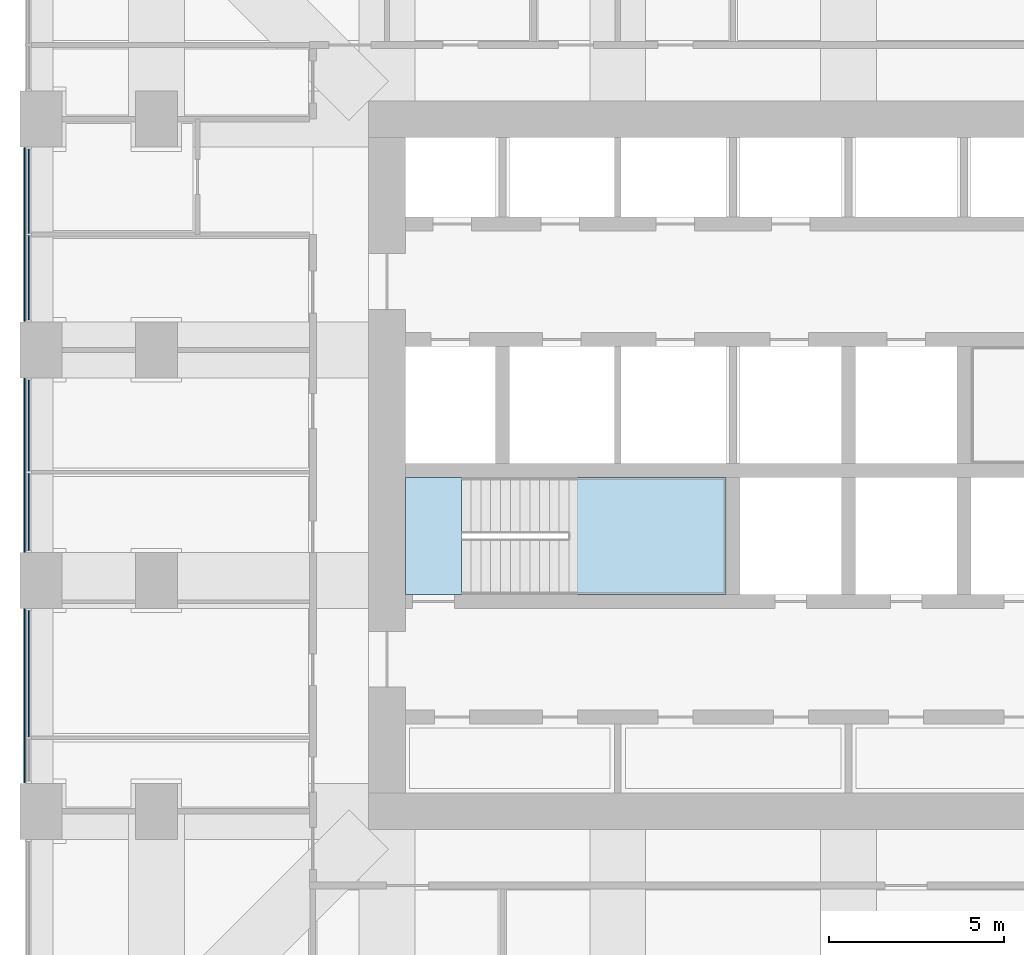
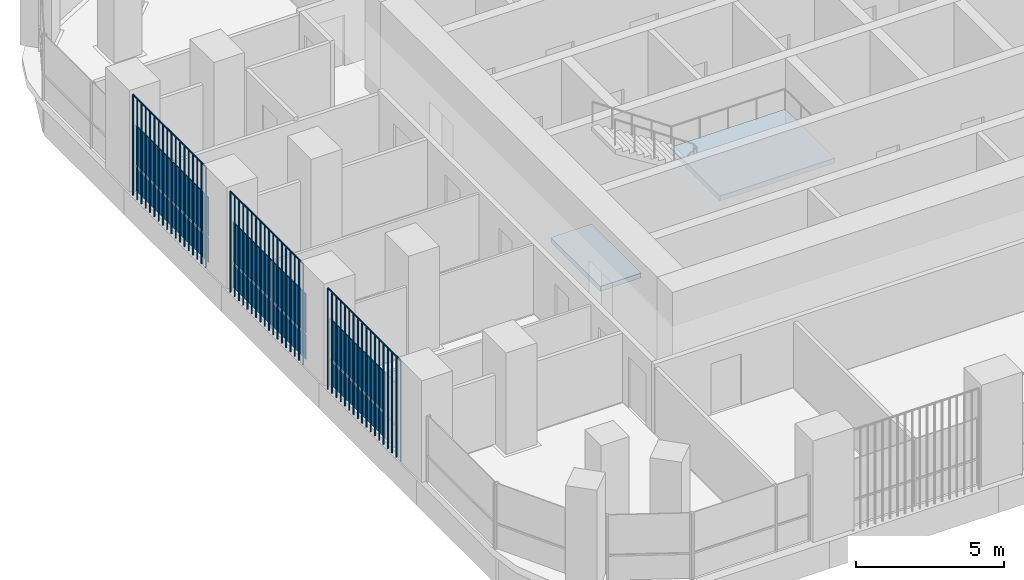
# One storey, part 9 of 19: 13 plates, 2 slabs, 4 elements without a shape of their own.
"""IFC4 building model written with IfcOpenShell, lengths in metres."""

from ifc_helpers import new_model, si_unit, direction, frame, origin, origin_2d, place, context, subcontext, project, spatial, polyline, rectangle, outline, extrude, material, layer, layer_set, type_object, element, aggregate, save


model = new_model("IFC4")

# Units and contexts
model_context = context("Model", 3, precision=1e-05, world=origin(), true_north=direction((0.0, 1.0)))
body_context = subcontext(model_context, "Body", "Model", "MODEL_VIEW")
ifc_project = project(units=[si_unit("LENGTHUNIT", "METRE"), si_unit("AREAUNIT", "SQUARE_METRE"), si_unit("VOLUMEUNIT", "CUBIC_METRE"), si_unit("PLANEANGLEUNIT", "RADIAN"), si_unit("MASSUNIT", "GRAM", prefix="KILO")], contexts=[model_context])

# Site, building, storey
site_placement = place(None, origin())
site = spatial("IfcSite", under=ifc_project, at=site_placement, CompositionType="ELEMENT")
building_placement = place(site_placement, origin())
building = spatial("IfcBuilding", under=site, at=building_placement, Name="Cobogo Forest Laboratory Tower", CompositionType="ELEMENT")
storey_placement = place(building_placement, frame((0.0, 0.0, 206.10009765625)))
storey = spatial("IfcBuildingStorey", under=building, at=storey_placement, Name="L47", CompositionType="ELEMENT", Elevation=206.10009765625)

# Curtain wall, plates
ifc_material_1 = material(Name="Aluminium curtain wall", Category="aluminium")
curtain_wall_type = type_object("IfcCurtainWallType", Name="CW-2 unitised curtain wall, solar control glazing, laboratory floors zones C and D", PredefinedType="USERDEFINED", material=ifc_material_1)
curtain_wall_1_placement = place(storey_placement, origin())
curtain_wall_1 = element("IfcCurtainWall", 1, at=curtain_wall_1_placement, inside=storey, type_object=curtain_wall_type, Name="Curtain wall 25 L47", ObjectType="UNITISED CURTAIN WALL", PredefinedType="USERDEFINED")
ifc_material_2 = material(Name="Solar control insulated glass", Category="glass")
ifc_layer_1 = layer(ifc_material_2, 0.031982421875)
ifc_layer_set_1 = layer_set([ifc_layer_1], Name="GP-2 solar control glass unit 32")
plate_type_1 = type_object("IfcPlateType", Name="GP-2 solar control glass unit 32", PredefinedType="CURTAIN_PANEL", material=ifc_layer_set_1)
plate_1_placement = place(storey_placement, frame((2.949951171875, 30.93505859375, 0.0), z_axis=(0.0, 0.0, 1.0), x_axis=(0.0, -1.0, 0.0)))
plate_1 = element("IfcPlate", 2, at=plate_1_placement, type_object=plate_type_1, Name="CW-2 panel 1.1", PredefinedType="CURTAIN_PANEL", context=body_context, shape_type="SweptSolid", body=[
    extrude(rectangle(XDim=2.409912109375, YDim=0.031982421875, at=origin_2d()), origin(), (0.0, 0.0, 1.0), 1.02001953125),
])
plate_2_placement = place(storey_placement, frame((2.949951171875, 30.93505859375, 1.079833984375), z_axis=(0.0, 0.0, 1.0), x_axis=(0.0, -1.0, 0.0)))
plate_2 = element("IfcPlate", 3, at=plate_2_placement, type_object=plate_type_1, Name="CW-2 panel 1.2", PredefinedType="CURTAIN_PANEL", context=body_context, shape_type="SweptSolid", body=[
    extrude(rectangle(XDim=2.409912109375, YDim=0.031982421875, at=origin_2d()), origin(), (0.0, 0.0, 1.0), 1.6201171875),
])
plate_3_placement = place(storey_placement, frame((2.949951171875, 28.465087890625, 0.0), z_axis=(0.0, 0.0, 1.0), x_axis=(0.0, -1.0, 0.0)))
plate_3 = element("IfcPlate", 4, at=plate_3_placement, type_object=plate_type_1, Name="CW-2 panel 2.1", PredefinedType="CURTAIN_PANEL", context=body_context, shape_type="SweptSolid", body=[
    extrude(rectangle(XDim=2.409912109375, YDim=0.031982421875, at=origin_2d()), origin(), (0.0, 0.0, 1.0), 1.02001953125),
])
plate_4_placement = place(storey_placement, frame((2.949951171875, 28.465087890625, 1.079833984375), z_axis=(0.0, 0.0, 1.0), x_axis=(0.0, -1.0, 0.0)))
plate_4 = element("IfcPlate", 5, at=plate_4_placement, type_object=plate_type_1, Name="CW-2 panel 2.2", PredefinedType="CURTAIN_PANEL", context=body_context, shape_type="SweptSolid", body=[
    extrude(rectangle(XDim=2.409912109375, YDim=0.031982421875, at=origin_2d()), origin(), (0.0, 0.0, 1.0), 1.6201171875),
])
aggregate(curtain_wall_1, [plate_1, plate_2, plate_3, plate_4])

curtain_wall_2_placement = place(storey_placement, origin())
curtain_wall_2 = element("IfcCurtainWall", 6, at=curtain_wall_2_placement, inside=storey, type_object=curtain_wall_type, Name="Curtain wall 26 L47", ObjectType="UNITISED CURTAIN WALL", PredefinedType="USERDEFINED")
plate_5_placement = place(storey_placement, frame((2.949951171875, 24.235107421875, 0.0), z_axis=(0.0, 0.0, 1.0), x_axis=(0.0, -1.0, 0.0)))
plate_5 = element("IfcPlate", 7, at=plate_5_placement, type_object=plate_type_1, Name="CW-2 panel 1.1", PredefinedType="CURTAIN_PANEL", context=body_context, shape_type="SweptSolid", body=[
    extrude(rectangle(XDim=2.610107421875, YDim=0.031982421875, at=origin_2d()), origin(), (0.0, 0.0, 1.0), 1.02001953125),
])
plate_6_placement = place(storey_placement, frame((2.949951171875, 24.235107421875, 1.079833984375), z_axis=(0.0, 0.0, 1.0), x_axis=(0.0, -1.0, 0.0)))
plate_6 = element("IfcPlate", 8, at=plate_6_placement, type_object=plate_type_1, Name="CW-2 panel 1.2", PredefinedType="CURTAIN_PANEL", context=body_context, shape_type="SweptSolid", body=[
    extrude(rectangle(XDim=2.610107421875, YDim=0.031982421875, at=origin_2d()), origin(), (0.0, 0.0, 1.0), 1.6201171875),
])
plate_7_placement = place(storey_placement, frame((2.949951171875, 21.764892578125, 0.0), z_axis=(0.0, 0.0, 1.0), x_axis=(0.0, -1.0, 0.0)))
plate_7 = element("IfcPlate", 9, at=plate_7_placement, type_object=plate_type_1, Name="CW-2 panel 2.1", PredefinedType="CURTAIN_PANEL", context=body_context, shape_type="SweptSolid", body=[
    extrude(rectangle(XDim=2.2099609375, YDim=0.031982421875, at=origin_2d()), origin(), (0.0, 0.0, 1.0), 1.02001953125),
])
plate_8_placement = place(storey_placement, frame((2.949951171875, 21.764892578125, 1.079833984375), z_axis=(0.0, 0.0, 1.0), x_axis=(0.0, -1.0, 0.0)))
plate_8 = element("IfcPlate", 10, at=plate_8_placement, type_object=plate_type_1, Name="CW-2 panel 2.2", PredefinedType="CURTAIN_PANEL", context=body_context, shape_type="SweptSolid", body=[
    extrude(rectangle(XDim=2.2099609375, YDim=0.031982421875, at=origin_2d()), origin(), (0.0, 0.0, 1.0), 1.6201171875),
])
aggregate(curtain_wall_2, [plate_5, plate_6, plate_7, plate_8])

curtain_wall_3_placement = place(storey_placement, origin())
curtain_wall_3 = element("IfcCurtainWall", 11, at=curtain_wall_3_placement, inside=storey, type_object=curtain_wall_type, Name="Curtain wall 27 L47", ObjectType="UNITISED CURTAIN WALL", PredefinedType="USERDEFINED")
plate_9_placement = place(storey_placement, frame((2.949951171875, 17.135009765625, 0.0), z_axis=(0.0, 0.0, 1.0), x_axis=(0.0, -1.0, 0.0)))
plate_9 = element("IfcPlate", 12, at=plate_9_placement, type_object=plate_type_1, Name="CW-2 panel 1.1", PredefinedType="CURTAIN_PANEL", context=body_context, shape_type="SweptSolid", body=[
    extrude(rectangle(XDim=3.610107421875, YDim=0.031982421875, at=origin_2d()), origin(), (0.0, 0.0, 1.0), 1.02001953125),
])
plate_10_placement = place(storey_placement, frame((2.949951171875, 17.135009765625, 1.079833984375), z_axis=(0.0, 0.0, 1.0), x_axis=(0.0, -1.0, 0.0)))
plate_10 = element("IfcPlate", 13, at=plate_10_placement, type_object=plate_type_1, Name="CW-2 panel 1.2", PredefinedType="CURTAIN_PANEL", context=body_context, shape_type="SweptSolid", body=[
    extrude(rectangle(XDim=3.610107421875, YDim=0.031982421875, at=origin_2d()), origin(), (0.0, 0.0, 1.0), 1.6201171875),
])
aggregate(curtain_wall_3, [plate_9, plate_10])

# Stair, slabs
ifc_material_3 = material(Name="Precast concrete HA-40 (C40/50)", Category="concrete")
stair_type = type_object("IfcStairType", Name="ST24 exit stair 24 risers", PredefinedType="HALF_TURN_STAIR", material=ifc_material_3)
stair_placement = place(storey_placement, origin())
stair = element("IfcStair", 14, at=stair_placement, inside=storey, type_object=stair_type, Name="Stair 1 L47 to L48", PredefinedType="HALF_TURN_STAIR")
ifc_material_4 = material(Name="Concrete HA-40 (C40/50)", Category="concrete")
ifc_layer_2 = layer(ifc_material_4, 0.199951171875)
ifc_layer_set_2 = layer_set([ifc_layer_2], Name="SL stair landing 200")
slab_type = type_object("IfcSlabType", Name="SL stair landing 200", PredefinedType="LANDING", material=ifc_layer_set_2)
slab_1_placement = place(storey_placement, frame((0.0, 0.0, -0.2001953125)))
slab_1 = element("IfcSlab", 15, at=slab_1_placement, type_object=slab_type, Name="ST1 landing 1", PredefinedType="LANDING", context=body_context, shape_type="SweptSolid", body=[
    extrude(outline(polyline([(13.72509765625, 19.39990234375), (15.326904296875, 19.39990234375), (15.326904296875, 22.75), (13.72509765625, 22.75), (13.72509765625, 19.39990234375)])), origin(), (0.0, 0.0, 1.0), 0.2001953125),
])
slab_2_placement = place(storey_placement, frame((0.0, 0.0, 1.89990234375)))
slab_2 = element("IfcSlab", 16, at=slab_2_placement, type_object=slab_type, Name="ST1 landing 2", PredefinedType="LANDING", context=body_context, shape_type="SweptSolid", body=[
    extrude(outline(polyline([(18.403076171875, 19.39990234375), (22.89990234375, 19.39990234375), (22.89990234375, 22.75), (18.403076171875, 22.75), (18.403076171875, 19.39990234375)])), origin(), (0.0, 0.0, 1.0), 0.199951171875),
])
aggregate(stair, [slab_1, slab_2])

# Plates
ifc_material_5 = material(Name="Terracotta", Category="masonry")
plate_type_2 = type_object("IfcPlateType", Name="TB1 terracotta baguette screen", PredefinedType="USERDEFINED", material=ifc_material_5)
plate_11_placement = place(storey_placement, frame((2.822021484375, 14.03125, -0.150146484375)))
element("IfcPlate", 17, at=plate_11_placement, inside=storey, type_object=plate_type_2, Name="Baguette screen W1 L47", ObjectType="BAGUETTE SCREEN", PredefinedType="USERDEFINED", context=body_context, shape_type="SweptSolid", body=[
    extrude(outline(polyline([(0.02880859375, 0.011962890625), (0.011962890625, 0.02880859375), (-0.011962890625, 0.02880859375), (-0.02880859375, 0.011962890625), (-0.02880859375, -0.011962890625), (-0.011962890625, -0.02880859375), (0.011962890625, -0.02880859375), (0.02880859375, -0.011962890625), (0.02880859375, 0.011962890625)])), frame((0.0, 0.0, 4.168701171875), z_axis=(0.0, 1.0, 0.0), x_axis=(-1.0, 0.0, 0.0)), (0.0, 0.0, 1.0), 4.9375),
    extrude(outline(polyline([(0.02880859375, 0.011962890625), (0.011962890625, 0.02880859375), (-0.011962890625, 0.02880859375), (-0.02880859375, 0.011962890625), (-0.02880859375, -0.011962890625), (-0.011962890625, -0.02880859375), (0.011962890625, -0.02880859375), (0.02880859375, -0.011962890625), (0.02880859375, 0.011962890625)])), origin(), (0.0, 0.0, 1.0), 4.137451171875),
    extrude(outline(polyline([(0.02880859375, 0.011962890625), (0.011962890625, 0.02880859375), (-0.011962890625, 0.02880859375), (-0.02880859375, 0.011962890625), (-0.02880859375, -0.011962890625), (-0.011962890625, -0.02880859375), (0.011962890625, -0.02880859375), (0.02880859375, -0.011962890625), (0.02880859375, 0.011962890625)])), frame((0.0, 0.29052734375, 0.0)), (0.0, 0.0, 1.0), 4.137451171875),
    extrude(outline(polyline([(0.02880859375, 0.011962890625), (0.011962890625, 0.02880859375), (-0.011962890625, 0.02880859375), (-0.02880859375, 0.011962890625), (-0.02880859375, -0.011962890625), (-0.011962890625, -0.02880859375), (0.011962890625, -0.02880859375), (0.02880859375, -0.011962890625), (0.02880859375, 0.011962890625)])), frame((0.0, 0.580810546875, 0.0)), (0.0, 0.0, 1.0), 4.137451171875),
    extrude(outline(polyline([(0.02880859375, 0.011962890625), (0.011962890625, 0.02880859375), (-0.011962890625, 0.02880859375), (-0.02880859375, 0.011962890625), (-0.02880859375, -0.011962890625), (-0.011962890625, -0.02880859375), (0.011962890625, -0.02880859375), (0.02880859375, -0.011962890625), (0.02880859375, 0.011962890625)])), frame((0.0, 0.871337890625, 0.0)), (0.0, 0.0, 1.0), 4.137451171875),
    extrude(outline(polyline([(0.02880859375, 0.011962890625), (0.011962890625, 0.02880859375), (-0.011962890625, 0.02880859375), (-0.02880859375, 0.011962890625), (-0.02880859375, -0.011962890625), (-0.011962890625, -0.02880859375), (0.011962890625, -0.02880859375), (0.02880859375, -0.011962890625), (0.02880859375, 0.011962890625)])), frame((0.0, 1.161865234375, 0.0)), (0.0, 0.0, 1.0), 4.137451171875),
    extrude(outline(polyline([(0.02880859375, 0.011962890625), (0.011962890625, 0.02880859375), (-0.011962890625, 0.02880859375), (-0.02880859375, 0.011962890625), (-0.02880859375, -0.011962890625), (-0.011962890625, -0.02880859375), (0.011962890625, -0.02880859375), (0.02880859375, -0.011962890625), (0.02880859375, 0.011962890625)])), frame((0.0, 1.4521484375, 0.0)), (0.0, 0.0, 1.0), 4.137451171875),
    extrude(outline(polyline([(0.02880859375, 0.011962890625), (0.011962890625, 0.02880859375), (-0.011962890625, 0.02880859375), (-0.02880859375, 0.011962890625), (-0.02880859375, -0.011962890625), (-0.011962890625, -0.02880859375), (0.011962890625, -0.02880859375), (0.02880859375, -0.011962890625), (0.02880859375, 0.011962890625)])), frame((0.0, 1.74267578125, 0.0)), (0.0, 0.0, 1.0), 4.137451171875),
    extrude(outline(polyline([(0.02880859375, 0.011962890625), (0.011962890625, 0.02880859375), (-0.011962890625, 0.02880859375), (-0.02880859375, 0.011962890625), (-0.02880859375, -0.011962890625), (-0.011962890625, -0.02880859375), (0.011962890625, -0.02880859375), (0.02880859375, -0.011962890625), (0.02880859375, 0.011962890625)])), frame((0.0, 2.033203125, 0.0)), (0.0, 0.0, 1.0), 4.137451171875),
    extrude(outline(polyline([(0.02880859375, 0.011962890625), (0.011962890625, 0.02880859375), (-0.011962890625, 0.02880859375), (-0.02880859375, 0.011962890625), (-0.02880859375, -0.011962890625), (-0.011962890625, -0.02880859375), (0.011962890625, -0.02880859375), (0.02880859375, -0.011962890625), (0.02880859375, 0.011962890625)])), frame((0.0, 2.323486328125, 0.0)), (0.0, 0.0, 1.0), 4.137451171875),
    extrude(outline(polyline([(0.02880859375, 0.011962890625), (0.011962890625, 0.02880859375), (-0.011962890625, 0.02880859375), (-0.02880859375, 0.011962890625), (-0.02880859375, -0.011962890625), (-0.011962890625, -0.02880859375), (0.011962890625, -0.02880859375), (0.02880859375, -0.011962890625), (0.02880859375, 0.011962890625)])), frame((0.0, 2.614013671875, 0.0)), (0.0, 0.0, 1.0), 4.137451171875),
    extrude(outline(polyline([(0.02880859375, 0.011962890625), (0.011962890625, 0.02880859375), (-0.011962890625, 0.02880859375), (-0.02880859375, 0.011962890625), (-0.02880859375, -0.011962890625), (-0.011962890625, -0.02880859375), (0.011962890625, -0.02880859375), (0.02880859375, -0.011962890625), (0.02880859375, 0.011962890625)])), frame((0.0, 2.904296875, 0.0)), (0.0, 0.0, 1.0), 4.137451171875),
    extrude(outline(polyline([(0.02880859375, 0.011962890625), (0.011962890625, 0.02880859375), (-0.011962890625, 0.02880859375), (-0.02880859375, 0.011962890625), (-0.02880859375, -0.011962890625), (-0.011962890625, -0.02880859375), (0.011962890625, -0.02880859375), (0.02880859375, -0.011962890625), (0.02880859375, 0.011962890625)])), frame((0.0, 3.19482421875, 0.0)), (0.0, 0.0, 1.0), 4.137451171875),
    extrude(outline(polyline([(0.02880859375, 0.011962890625), (0.011962890625, 0.02880859375), (-0.011962890625, 0.02880859375), (-0.02880859375, 0.011962890625), (-0.02880859375, -0.011962890625), (-0.011962890625, -0.02880859375), (0.011962890625, -0.02880859375), (0.02880859375, -0.011962890625), (0.02880859375, 0.011962890625)])), frame((0.0, 3.4853515625, 0.0)), (0.0, 0.0, 1.0), 4.137451171875),
    extrude(outline(polyline([(0.02880859375, 0.011962890625), (0.011962890625, 0.02880859375), (-0.011962890625, 0.02880859375), (-0.02880859375, 0.011962890625), (-0.02880859375, -0.011962890625), (-0.011962890625, -0.02880859375), (0.011962890625, -0.02880859375), (0.02880859375, -0.011962890625), (0.02880859375, 0.011962890625)])), frame((0.0, 3.775634765625, 0.0)), (0.0, 0.0, 1.0), 4.137451171875),
    extrude(outline(polyline([(0.02880859375, 0.011962890625), (0.011962890625, 0.02880859375), (-0.011962890625, 0.02880859375), (-0.02880859375, 0.011962890625), (-0.02880859375, -0.011962890625), (-0.011962890625, -0.02880859375), (0.011962890625, -0.02880859375), (0.02880859375, -0.011962890625), (0.02880859375, 0.011962890625)])), frame((0.0, 4.066162109375, 0.0)), (0.0, 0.0, 1.0), 4.137451171875),
    extrude(outline(polyline([(0.02880859375, 0.011962890625), (0.011962890625, 0.02880859375), (-0.011962890625, 0.02880859375), (-0.02880859375, 0.011962890625), (-0.02880859375, -0.011962890625), (-0.011962890625, -0.02880859375), (0.011962890625, -0.02880859375), (0.02880859375, -0.011962890625), (0.02880859375, 0.011962890625)])), frame((0.0, 4.356689453125, 0.0)), (0.0, 0.0, 1.0), 4.137451171875),
    extrude(outline(polyline([(0.02880859375, 0.011962890625), (0.011962890625, 0.02880859375), (-0.011962890625, 0.02880859375), (-0.02880859375, 0.011962890625), (-0.02880859375, -0.011962890625), (-0.011962890625, -0.02880859375), (0.011962890625, -0.02880859375), (0.02880859375, -0.011962890625), (0.02880859375, 0.011962890625)])), frame((0.0, 4.64697265625, 0.0)), (0.0, 0.0, 1.0), 4.137451171875),
    extrude(outline(polyline([(0.02880859375, 0.011962890625), (0.011962890625, 0.02880859375), (-0.011962890625, 0.02880859375), (-0.02880859375, 0.011962890625), (-0.02880859375, -0.011962890625), (-0.011962890625, -0.02880859375), (0.011962890625, -0.02880859375), (0.02880859375, -0.011962890625), (0.02880859375, 0.011962890625)])), frame((0.0, 4.9375, 0.0)), (0.0, 0.0, 1.0), 4.137451171875),
])
plate_12_placement = place(storey_placement, frame((2.822021484375, 20.63134765625, -0.150146484375)))
element("IfcPlate", 18, at=plate_12_placement, inside=storey, type_object=plate_type_2, Name="Baguette screen W2 L47", ObjectType="BAGUETTE SCREEN", PredefinedType="USERDEFINED", context=body_context, shape_type="SweptSolid", body=[
    extrude(outline(polyline([(0.02880859375, 0.011962890625), (0.011962890625, 0.02880859375), (-0.011962890625, 0.02880859375), (-0.02880859375, 0.011962890625), (-0.02880859375, -0.011962890625), (-0.011962890625, -0.02880859375), (0.011962890625, -0.02880859375), (0.02880859375, -0.011962890625), (0.02880859375, 0.011962890625)])), frame((0.0, 0.0, 4.168701171875), z_axis=(0.0, 1.0, 0.0), x_axis=(-1.0, 0.0, 0.0)), (0.0, 0.0, 1.0), 4.9375),
    extrude(outline(polyline([(0.02880859375, 0.011962890625), (0.011962890625, 0.02880859375), (-0.011962890625, 0.02880859375), (-0.02880859375, 0.011962890625), (-0.02880859375, -0.011962890625), (-0.011962890625, -0.02880859375), (0.011962890625, -0.02880859375), (0.02880859375, -0.011962890625), (0.02880859375, 0.011962890625)])), origin(), (0.0, 0.0, 1.0), 4.137451171875),
    extrude(outline(polyline([(0.02880859375, 0.011962890625), (0.011962890625, 0.02880859375), (-0.011962890625, 0.02880859375), (-0.02880859375, 0.011962890625), (-0.02880859375, -0.011962890625), (-0.011962890625, -0.02880859375), (0.011962890625, -0.02880859375), (0.02880859375, -0.011962890625), (0.02880859375, 0.011962890625)])), frame((0.0, 0.29052734375, 0.0)), (0.0, 0.0, 1.0), 4.137451171875),
    extrude(outline(polyline([(0.02880859375, 0.011962890625), (0.011962890625, 0.02880859375), (-0.011962890625, 0.02880859375), (-0.02880859375, 0.011962890625), (-0.02880859375, -0.011962890625), (-0.011962890625, -0.02880859375), (0.011962890625, -0.02880859375), (0.02880859375, -0.011962890625), (0.02880859375, 0.011962890625)])), frame((0.0, 0.580810546875, 0.0)), (0.0, 0.0, 1.0), 4.137451171875),
    extrude(outline(polyline([(0.02880859375, 0.011962890625), (0.011962890625, 0.02880859375), (-0.011962890625, 0.02880859375), (-0.02880859375, 0.011962890625), (-0.02880859375, -0.011962890625), (-0.011962890625, -0.02880859375), (0.011962890625, -0.02880859375), (0.02880859375, -0.011962890625), (0.02880859375, 0.011962890625)])), frame((0.0, 0.871337890625, 0.0)), (0.0, 0.0, 1.0), 4.137451171875),
    extrude(outline(polyline([(0.02880859375, 0.011962890625), (0.011962890625, 0.02880859375), (-0.011962890625, 0.02880859375), (-0.02880859375, 0.011962890625), (-0.02880859375, -0.011962890625), (-0.011962890625, -0.02880859375), (0.011962890625, -0.02880859375), (0.02880859375, -0.011962890625), (0.02880859375, 0.011962890625)])), frame((0.0, 1.161865234375, 0.0)), (0.0, 0.0, 1.0), 4.137451171875),
    extrude(outline(polyline([(0.02880859375, 0.011962890625), (0.011962890625, 0.02880859375), (-0.011962890625, 0.02880859375), (-0.02880859375, 0.011962890625), (-0.02880859375, -0.011962890625), (-0.011962890625, -0.02880859375), (0.011962890625, -0.02880859375), (0.02880859375, -0.011962890625), (0.02880859375, 0.011962890625)])), frame((0.0, 1.4521484375, 0.0)), (0.0, 0.0, 1.0), 4.137451171875),
    extrude(outline(polyline([(0.02880859375, 0.011962890625), (0.011962890625, 0.02880859375), (-0.011962890625, 0.02880859375), (-0.02880859375, 0.011962890625), (-0.02880859375, -0.011962890625), (-0.011962890625, -0.02880859375), (0.011962890625, -0.02880859375), (0.02880859375, -0.011962890625), (0.02880859375, 0.011962890625)])), frame((0.0, 1.74267578125, 0.0)), (0.0, 0.0, 1.0), 4.137451171875),
    extrude(outline(polyline([(0.02880859375, 0.011962890625), (0.011962890625, 0.02880859375), (-0.011962890625, 0.02880859375), (-0.02880859375, 0.011962890625), (-0.02880859375, -0.011962890625), (-0.011962890625, -0.02880859375), (0.011962890625, -0.02880859375), (0.02880859375, -0.011962890625), (0.02880859375, 0.011962890625)])), frame((0.0, 2.033203125, 0.0)), (0.0, 0.0, 1.0), 4.137451171875),
    extrude(outline(polyline([(0.02880859375, 0.011962890625), (0.011962890625, 0.02880859375), (-0.011962890625, 0.02880859375), (-0.02880859375, 0.011962890625), (-0.02880859375, -0.011962890625), (-0.011962890625, -0.02880859375), (0.011962890625, -0.02880859375), (0.02880859375, -0.011962890625), (0.02880859375, 0.011962890625)])), frame((0.0, 2.323486328125, 0.0)), (0.0, 0.0, 1.0), 4.137451171875),
    extrude(outline(polyline([(0.02880859375, 0.011962890625), (0.011962890625, 0.02880859375), (-0.011962890625, 0.02880859375), (-0.02880859375, 0.011962890625), (-0.02880859375, -0.011962890625), (-0.011962890625, -0.02880859375), (0.011962890625, -0.02880859375), (0.02880859375, -0.011962890625), (0.02880859375, 0.011962890625)])), frame((0.0, 2.614013671875, 0.0)), (0.0, 0.0, 1.0), 4.137451171875),
    extrude(outline(polyline([(0.02880859375, 0.011962890625), (0.011962890625, 0.02880859375), (-0.011962890625, 0.02880859375), (-0.02880859375, 0.011962890625), (-0.02880859375, -0.011962890625), (-0.011962890625, -0.02880859375), (0.011962890625, -0.02880859375), (0.02880859375, -0.011962890625), (0.02880859375, 0.011962890625)])), frame((0.0, 2.904296875, 0.0)), (0.0, 0.0, 1.0), 4.137451171875),
    extrude(outline(polyline([(0.02880859375, 0.011962890625), (0.011962890625, 0.02880859375), (-0.011962890625, 0.02880859375), (-0.02880859375, 0.011962890625), (-0.02880859375, -0.011962890625), (-0.011962890625, -0.02880859375), (0.011962890625, -0.02880859375), (0.02880859375, -0.011962890625), (0.02880859375, 0.011962890625)])), frame((0.0, 3.19482421875, 0.0)), (0.0, 0.0, 1.0), 4.137451171875),
    extrude(outline(polyline([(0.02880859375, 0.011962890625), (0.011962890625, 0.02880859375), (-0.011962890625, 0.02880859375), (-0.02880859375, 0.011962890625), (-0.02880859375, -0.011962890625), (-0.011962890625, -0.02880859375), (0.011962890625, -0.02880859375), (0.02880859375, -0.011962890625), (0.02880859375, 0.011962890625)])), frame((0.0, 3.4853515625, 0.0)), (0.0, 0.0, 1.0), 4.137451171875),
    extrude(outline(polyline([(0.02880859375, 0.011962890625), (0.011962890625, 0.02880859375), (-0.011962890625, 0.02880859375), (-0.02880859375, 0.011962890625), (-0.02880859375, -0.011962890625), (-0.011962890625, -0.02880859375), (0.011962890625, -0.02880859375), (0.02880859375, -0.011962890625), (0.02880859375, 0.011962890625)])), frame((0.0, 3.775634765625, 0.0)), (0.0, 0.0, 1.0), 4.137451171875),
    extrude(outline(polyline([(0.02880859375, 0.011962890625), (0.011962890625, 0.02880859375), (-0.011962890625, 0.02880859375), (-0.02880859375, 0.011962890625), (-0.02880859375, -0.011962890625), (-0.011962890625, -0.02880859375), (0.011962890625, -0.02880859375), (0.02880859375, -0.011962890625), (0.02880859375, 0.011962890625)])), frame((0.0, 4.066162109375, 0.0)), (0.0, 0.0, 1.0), 4.137451171875),
    extrude(outline(polyline([(0.02880859375, 0.011962890625), (0.011962890625, 0.02880859375), (-0.011962890625, 0.02880859375), (-0.02880859375, 0.011962890625), (-0.02880859375, -0.011962890625), (-0.011962890625, -0.02880859375), (0.011962890625, -0.02880859375), (0.02880859375, -0.011962890625), (0.02880859375, 0.011962890625)])), frame((0.0, 4.356689453125, 0.0)), (0.0, 0.0, 1.0), 4.137451171875),
    extrude(outline(polyline([(0.02880859375, 0.011962890625), (0.011962890625, 0.02880859375), (-0.011962890625, 0.02880859375), (-0.02880859375, 0.011962890625), (-0.02880859375, -0.011962890625), (-0.011962890625, -0.02880859375), (0.011962890625, -0.02880859375), (0.02880859375, -0.011962890625), (0.02880859375, 0.011962890625)])), frame((0.0, 4.64697265625, 0.0)), (0.0, 0.0, 1.0), 4.137451171875),
    extrude(outline(polyline([(0.02880859375, 0.011962890625), (0.011962890625, 0.02880859375), (-0.011962890625, 0.02880859375), (-0.02880859375, 0.011962890625), (-0.02880859375, -0.011962890625), (-0.011962890625, -0.02880859375), (0.011962890625, -0.02880859375), (0.02880859375, -0.011962890625), (0.02880859375, 0.011962890625)])), frame((0.0, 4.9375, 0.0)), (0.0, 0.0, 1.0), 4.137451171875),
])
plate_13_placement = place(storey_placement, frame((2.822021484375, 27.231201171875, -0.150146484375)))
element("IfcPlate", 19, at=plate_13_placement, inside=storey, type_object=plate_type_2, Name="Baguette screen W3 L47", ObjectType="BAGUETTE SCREEN", PredefinedType="USERDEFINED", context=body_context, shape_type="SweptSolid", body=[
    extrude(outline(polyline([(0.02880859375, 0.011962890625), (0.011962890625, 0.02880859375), (-0.011962890625, 0.02880859375), (-0.02880859375, 0.011962890625), (-0.02880859375, -0.011962890625), (-0.011962890625, -0.02880859375), (0.011962890625, -0.02880859375), (0.02880859375, -0.011962890625), (0.02880859375, 0.011962890625)])), frame((0.0, 0.0, 4.168701171875), z_axis=(0.0, 1.0, 0.0), x_axis=(-1.0, 0.0, 0.0)), (0.0, 0.0, 1.0), 4.9375),
    extrude(outline(polyline([(0.02880859375, 0.011962890625), (0.011962890625, 0.02880859375), (-0.011962890625, 0.02880859375), (-0.02880859375, 0.011962890625), (-0.02880859375, -0.011962890625), (-0.011962890625, -0.02880859375), (0.011962890625, -0.02880859375), (0.02880859375, -0.011962890625), (0.02880859375, 0.011962890625)])), origin(), (0.0, 0.0, 1.0), 4.137451171875),
    extrude(outline(polyline([(0.02880859375, 0.011962890625), (0.011962890625, 0.02880859375), (-0.011962890625, 0.02880859375), (-0.02880859375, 0.011962890625), (-0.02880859375, -0.011962890625), (-0.011962890625, -0.02880859375), (0.011962890625, -0.02880859375), (0.02880859375, -0.011962890625), (0.02880859375, 0.011962890625)])), frame((0.0, 0.29052734375, 0.0)), (0.0, 0.0, 1.0), 4.137451171875),
    extrude(outline(polyline([(0.02880859375, 0.011962890625), (0.011962890625, 0.02880859375), (-0.011962890625, 0.02880859375), (-0.02880859375, 0.011962890625), (-0.02880859375, -0.011962890625), (-0.011962890625, -0.02880859375), (0.011962890625, -0.02880859375), (0.02880859375, -0.011962890625), (0.02880859375, 0.011962890625)])), frame((0.0, 0.580810546875, 0.0)), (0.0, 0.0, 1.0), 4.137451171875),
    extrude(outline(polyline([(0.02880859375, 0.011962890625), (0.011962890625, 0.02880859375), (-0.011962890625, 0.02880859375), (-0.02880859375, 0.011962890625), (-0.02880859375, -0.011962890625), (-0.011962890625, -0.02880859375), (0.011962890625, -0.02880859375), (0.02880859375, -0.011962890625), (0.02880859375, 0.011962890625)])), frame((0.0, 0.871337890625, 0.0)), (0.0, 0.0, 1.0), 4.137451171875),
    extrude(outline(polyline([(0.02880859375, 0.011962890625), (0.011962890625, 0.02880859375), (-0.011962890625, 0.02880859375), (-0.02880859375, 0.011962890625), (-0.02880859375, -0.011962890625), (-0.011962890625, -0.02880859375), (0.011962890625, -0.02880859375), (0.02880859375, -0.011962890625), (0.02880859375, 0.011962890625)])), frame((0.0, 1.161865234375, 0.0)), (0.0, 0.0, 1.0), 4.137451171875),
    extrude(outline(polyline([(0.02880859375, 0.011962890625), (0.011962890625, 0.02880859375), (-0.011962890625, 0.02880859375), (-0.02880859375, 0.011962890625), (-0.02880859375, -0.011962890625), (-0.011962890625, -0.02880859375), (0.011962890625, -0.02880859375), (0.02880859375, -0.011962890625), (0.02880859375, 0.011962890625)])), frame((0.0, 1.4521484375, 0.0)), (0.0, 0.0, 1.0), 4.137451171875),
    extrude(outline(polyline([(0.02880859375, 0.011962890625), (0.011962890625, 0.02880859375), (-0.011962890625, 0.02880859375), (-0.02880859375, 0.011962890625), (-0.02880859375, -0.011962890625), (-0.011962890625, -0.02880859375), (0.011962890625, -0.02880859375), (0.02880859375, -0.011962890625), (0.02880859375, 0.011962890625)])), frame((0.0, 1.74267578125, 0.0)), (0.0, 0.0, 1.0), 4.137451171875),
    extrude(outline(polyline([(0.02880859375, 0.011962890625), (0.011962890625, 0.02880859375), (-0.011962890625, 0.02880859375), (-0.02880859375, 0.011962890625), (-0.02880859375, -0.011962890625), (-0.011962890625, -0.02880859375), (0.011962890625, -0.02880859375), (0.02880859375, -0.011962890625), (0.02880859375, 0.011962890625)])), frame((0.0, 2.033203125, 0.0)), (0.0, 0.0, 1.0), 4.137451171875),
    extrude(outline(polyline([(0.02880859375, 0.011962890625), (0.011962890625, 0.02880859375), (-0.011962890625, 0.02880859375), (-0.02880859375, 0.011962890625), (-0.02880859375, -0.011962890625), (-0.011962890625, -0.02880859375), (0.011962890625, -0.02880859375), (0.02880859375, -0.011962890625), (0.02880859375, 0.011962890625)])), frame((0.0, 2.323486328125, 0.0)), (0.0, 0.0, 1.0), 4.137451171875),
    extrude(outline(polyline([(0.02880859375, 0.011962890625), (0.011962890625, 0.02880859375), (-0.011962890625, 0.02880859375), (-0.02880859375, 0.011962890625), (-0.02880859375, -0.011962890625), (-0.011962890625, -0.02880859375), (0.011962890625, -0.02880859375), (0.02880859375, -0.011962890625), (0.02880859375, 0.011962890625)])), frame((0.0, 2.614013671875, 0.0)), (0.0, 0.0, 1.0), 4.137451171875),
    extrude(outline(polyline([(0.02880859375, 0.011962890625), (0.011962890625, 0.02880859375), (-0.011962890625, 0.02880859375), (-0.02880859375, 0.011962890625), (-0.02880859375, -0.011962890625), (-0.011962890625, -0.02880859375), (0.011962890625, -0.02880859375), (0.02880859375, -0.011962890625), (0.02880859375, 0.011962890625)])), frame((0.0, 2.904296875, 0.0)), (0.0, 0.0, 1.0), 4.137451171875),
    extrude(outline(polyline([(0.02880859375, 0.011962890625), (0.011962890625, 0.02880859375), (-0.011962890625, 0.02880859375), (-0.02880859375, 0.011962890625), (-0.02880859375, -0.011962890625), (-0.011962890625, -0.02880859375), (0.011962890625, -0.02880859375), (0.02880859375, -0.011962890625), (0.02880859375, 0.011962890625)])), frame((0.0, 3.19482421875, 0.0)), (0.0, 0.0, 1.0), 4.137451171875),
    extrude(outline(polyline([(0.02880859375, 0.011962890625), (0.011962890625, 0.02880859375), (-0.011962890625, 0.02880859375), (-0.02880859375, 0.011962890625), (-0.02880859375, -0.011962890625), (-0.011962890625, -0.02880859375), (0.011962890625, -0.02880859375), (0.02880859375, -0.011962890625), (0.02880859375, 0.011962890625)])), frame((0.0, 3.4853515625, 0.0)), (0.0, 0.0, 1.0), 4.137451171875),
    extrude(outline(polyline([(0.02880859375, 0.011962890625), (0.011962890625, 0.02880859375), (-0.011962890625, 0.02880859375), (-0.02880859375, 0.011962890625), (-0.02880859375, -0.011962890625), (-0.011962890625, -0.02880859375), (0.011962890625, -0.02880859375), (0.02880859375, -0.011962890625), (0.02880859375, 0.011962890625)])), frame((0.0, 3.775634765625, 0.0)), (0.0, 0.0, 1.0), 4.137451171875),
    extrude(outline(polyline([(0.02880859375, 0.011962890625), (0.011962890625, 0.02880859375), (-0.011962890625, 0.02880859375), (-0.02880859375, 0.011962890625), (-0.02880859375, -0.011962890625), (-0.011962890625, -0.02880859375), (0.011962890625, -0.02880859375), (0.02880859375, -0.011962890625), (0.02880859375, 0.011962890625)])), frame((0.0, 4.066162109375, 0.0)), (0.0, 0.0, 1.0), 4.137451171875),
    extrude(outline(polyline([(0.02880859375, 0.011962890625), (0.011962890625, 0.02880859375), (-0.011962890625, 0.02880859375), (-0.02880859375, 0.011962890625), (-0.02880859375, -0.011962890625), (-0.011962890625, -0.02880859375), (0.011962890625, -0.02880859375), (0.02880859375, -0.011962890625), (0.02880859375, 0.011962890625)])), frame((0.0, 4.356689453125, 0.0)), (0.0, 0.0, 1.0), 4.137451171875),
    extrude(outline(polyline([(0.02880859375, 0.011962890625), (0.011962890625, 0.02880859375), (-0.011962890625, 0.02880859375), (-0.02880859375, 0.011962890625), (-0.02880859375, -0.011962890625), (-0.011962890625, -0.02880859375), (0.011962890625, -0.02880859375), (0.02880859375, -0.011962890625), (0.02880859375, 0.011962890625)])), frame((0.0, 4.64697265625, 0.0)), (0.0, 0.0, 1.0), 4.137451171875),
    extrude(outline(polyline([(0.02880859375, 0.011962890625), (0.011962890625, 0.02880859375), (-0.011962890625, 0.02880859375), (-0.02880859375, 0.011962890625), (-0.02880859375, -0.011962890625), (-0.011962890625, -0.02880859375), (0.011962890625, -0.02880859375), (0.02880859375, -0.011962890625), (0.02880859375, 0.011962890625)])), frame((0.0, 4.9375, 0.0)), (0.0, 0.0, 1.0), 4.137451171875),
])

save(model, "model.ifc")
